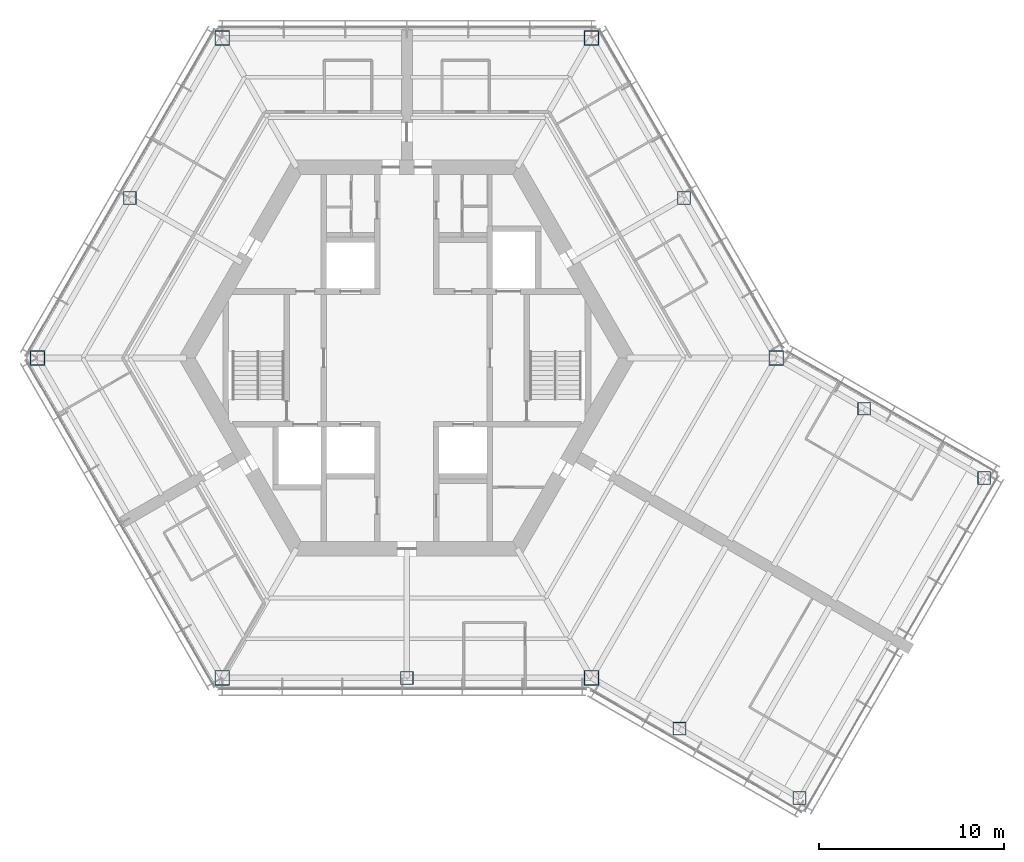
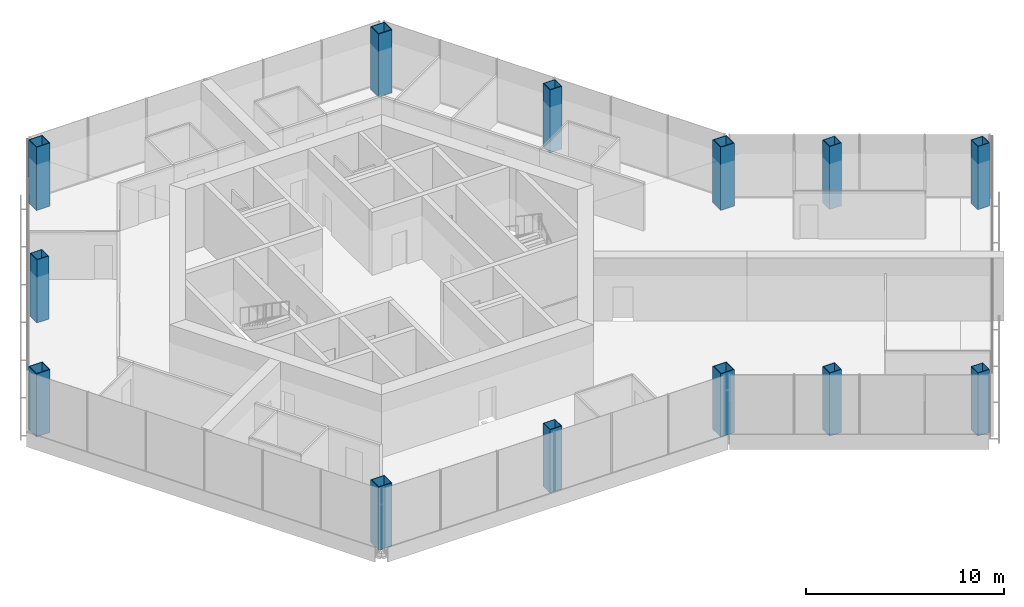
# One storey, part 1 of 15: 13 columns.
"""IFC4 building model written with IfcOpenShell, lengths in metres."""

from ifc_helpers import new_model, si_unit, direction, frame, origin, origin_2d, place, context, subcontext, project, spatial, hollow_rectangle, extrude, material, material_profile, profile_set, type_object, element, save


model = new_model("IFC4")

# Units and contexts
model_context = context("Model", 3, precision=1e-05, world=origin(), true_north=direction((0.0, 1.0)))
body_context = subcontext(model_context, "Body", "Model", "MODEL_VIEW")
ifc_project = project(units=[si_unit("LENGTHUNIT", "METRE"), si_unit("AREAUNIT", "SQUARE_METRE"), si_unit("VOLUMEUNIT", "CUBIC_METRE"), si_unit("PLANEANGLEUNIT", "RADIAN"), si_unit("MASSUNIT", "GRAM", prefix="KILO")], contexts=[model_context])

# Site, building, storey
site_placement = place(None, origin())
site = spatial("IfcSite", under=ifc_project, at=site_placement, CompositionType="ELEMENT")
building_placement = place(site_placement, origin())
building = spatial("IfcBuilding", under=site, at=building_placement, Name="Kasaneha Research Tower", CompositionType="ELEMENT")
storey_placement = place(building_placement, frame((0.0, 0.0, 244.0)))
storey = spatial("IfcBuildingStorey", under=building, at=storey_placement, Name="L61", CompositionType="ELEMENT", Elevation=244.0)

# Columns
ifc_material_1 = material(Name="Steel SN490C", Category="steel")
ifc_material_profile_1 = material_profile(ifc_material_1, hollow_rectangle(XDim=0.800048828125, YDim=0.800048828125, WallThickness=0.0400390625, at=origin_2d()), Name="BOX-800x800x40")
ifc_profile_set_1 = profile_set([ifc_material_profile_1], Name="Steel SN490C")
column_type_1 = type_object("IfcColumnType", Name="C4A column BOX-800x800x40", PredefinedType="COLUMN", material=ifc_profile_set_1)
for number, where, z_axis, x_axis, name in (
    (1, (20.0, 0.0, 0.0), (0.0, 0.0, 1.0), (1.0, 0.0, 0.0), "Column V0 L61"),
    (2, (10.0, 17.320556640625, 0.0), (0.0, 0.0, 1.0), (1.0, 0.0, 0.0), "Column V1 L61"),
    (3, (-10.0, 17.320556640625, 0.0), (0.0, 0.0, 1.0), (1.0, 0.0, 0.0), "Column V2 L61"),
    (4, (-20.0, 0.0, 0.0), (0.0, 0.0, 1.0), (1.0, 0.0, 0.0), "Column V3 L61"),
    (5, (-10.0, -17.320556640625, 0.0), (0.0, 0.0, 1.0), (1.0, 0.0, 0.0), "Column V4 L61"),
    (6, (10.0, -17.320556640625, 0.0), (0.0, 0.0, 1.0), (1.0, 0.0, 0.0), "Column V5 L61"),
):
    element("IfcColumn", number, at=place(storey_placement, frame(where, z_axis=z_axis, x_axis=x_axis)), inside=storey, type_object=column_type_1, Name=name, PredefinedType="COLUMN", context=body_context, shape_type="SweptSolid", body=[
        extrude(hollow_rectangle(XDim=0.800048828125, YDim=0.800048828125, WallThickness=0.0400390625, at=origin_2d()), origin(), (0.0, 0.0, 1.0), 3.89990234375),
    ])
ifc_material_2 = material(Name="Steel SN490C", Category="steel")
ifc_material_profile_2 = material_profile(ifc_material_2, hollow_rectangle(XDim=0.699951171875, YDim=0.699951171875, WallThickness=0.031982421875, at=origin_2d()), Name="BOX-700x700x32")
ifc_profile_set_2 = profile_set([ifc_material_profile_2], Name="Steel SN490C")
column_type_2 = type_object("IfcColumnType", Name="C4B column BOX-700x700x32", PredefinedType="COLUMN", material=ifc_profile_set_2)
for number, where, z_axis, x_axis, name in (
    (7, (15.0, 8.66015625, 0.0), (0.0, 0.0, 1.0), (1.0, 0.0, 0.0), "Column M030 L61"),
    (8, (-15.0, 8.66015625, 0.0), (0.0, 0.0, 1.0), (1.0, 0.0, 0.0), "Column M150 L61"),
    (9, (0.0, -17.320556640625, 0.0), (0.0, 0.0, 1.0), (1.0, 0.0, 0.0), "Column M270 L61"),
    (10, (14.76318359375, -20.070556640625, 0.0), (0.0, 0.0, 1.0), (1.0, 0.0, 0.0), "Column CSP L61"),
    (11, (21.25830078125, -23.820556640625, 0.0), (0.0, 0.0, 1.0), (1.0, 0.0, 0.0), "Column CTP L61"),
    (12, (24.76318359375, -2.75, 0.0), (0.0, 0.0, 1.0), (1.0, 0.0, 0.0), "Column CSN L61"),
    (13, (31.25830078125, -6.5, 0.0), (0.0, 0.0, 1.0), (1.0, 0.0, 0.0), "Column CTN L61"),
):
    element("IfcColumn", number, at=place(storey_placement, frame(where, z_axis=z_axis, x_axis=x_axis)), inside=storey, type_object=column_type_2, Name=name, PredefinedType="COLUMN", context=body_context, shape_type="SweptSolid", body=[
        extrude(hollow_rectangle(XDim=0.699951171875, YDim=0.699951171875, WallThickness=0.031982421875, at=origin_2d()), origin(), (0.0, 0.0, 1.0), 3.89990234375),
    ])

save(model, "model.ifc")
